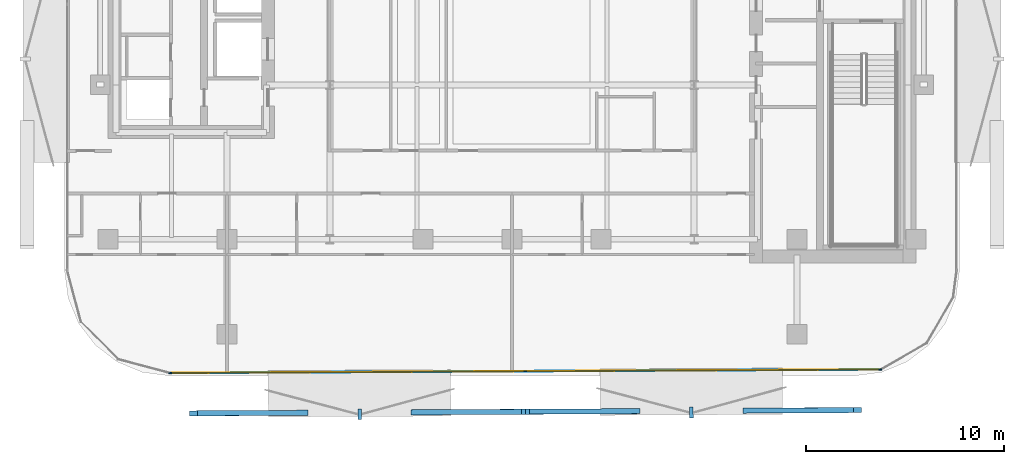
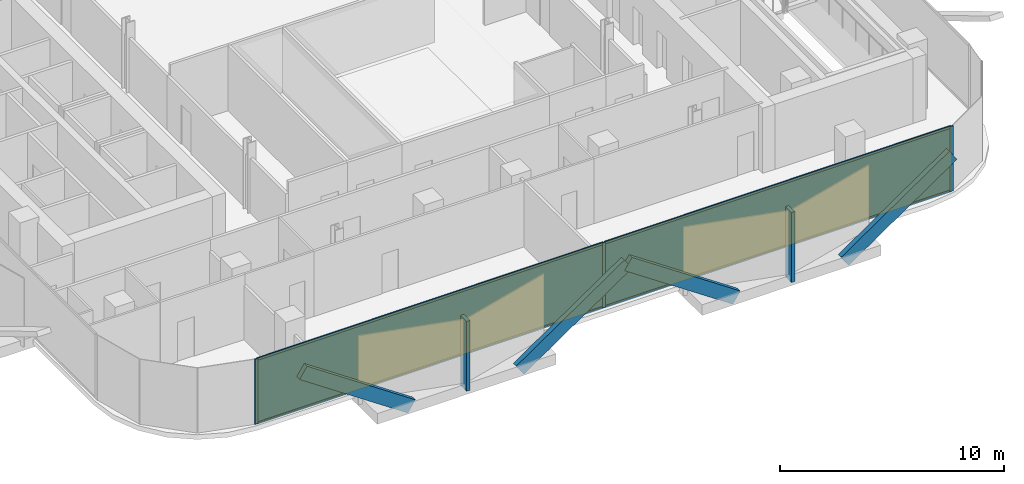
# One storey, part 9 of 17: 13 members, 2 plates, 1 curtain wall.
"""IFC4 building model written with IfcOpenShell, lengths in metres."""

import ifcopenshell
import ifcopenshell.guid

model = None  # the IFC model being written
_history = None  # IfcOwnerHistory: only IFC2X3 demands one
_inside = {}  # id of a spatial element -> (the spatial element, [elements in it])
_under = {}  # id of a project, library or spatial element -> (it, [spatial elements below it])
_declared = {}  # id of a project -> (the project, [libraries it declares])
_typed = {}  # id of a type object -> (the type object, [elements of that type])
_made_of = {}  # id of a material, layer set ... -> (it, [elements and type objects made of it])


def new_model(schema):
    """Start an empty IFC model of exactly this schema.

    Asked for "IFC4X3", IfcOpenShell would pick the latest addendum, in which some entities
    have other attributes; the version numbers below select the first issue.
    IFC2X3 requires an IfcOwnerHistory on every rooted entity: one is made here for all.
    """
    global model, _history
    if schema == "IFC4X3":
        model = ifcopenshell.file(schema_version=(4, 3, 0, 0))
    else:
        model = ifcopenshell.file(schema=schema)
    _inside.clear()
    _under.clear()
    _declared.clear()
    _typed.clear()
    _made_of.clear()
    _history = None
    if model.schema == "IFC2X3":
        org = make("IfcOrganization", Name="unknown")
        user = make(
            "IfcPersonAndOrganization",
            ThePerson=make("IfcPerson", FamilyName="unknown"),
            TheOrganization=org,
        )
        app = make(
            "IfcApplication",
            ApplicationDeveloper=org,
            Version="unknown",
            ApplicationFullName="unknown",
            ApplicationIdentifier="unknown",
        )
        _history = make(
            "IfcOwnerHistory",
            OwningUser=user,
            OwningApplication=app,
            ChangeAction="ADDED",
            CreationDate=0,
        )
    return model


def make(cls, **values):
    """One entity of the class cls with the attributes given. An attribute that is None is left unset."""
    return model.create_entity(
        cls, **{name: value for name, value in values.items() if value is not None}
    )


def rooted(cls, **values):
    """An entity with a GlobalId (a new one), such as an element, a storey or a relation."""
    return make(cls, GlobalId=ifcopenshell.guid.new(), OwnerHistory=_history, **values)


def si_unit(unit_type, name, prefix=None):
    """IfcSIUnit, for example si_unit("LENGTHUNIT", "METRE", prefix="MILLI")."""
    return make("IfcSIUnit", UnitType=unit_type, Prefix=prefix, Name=name)


def assignment(units):
    """IfcUnitAssignment: the units of a project."""
    return None if units is None else make("IfcUnitAssignment", Units=units)


def point(xyz):
    """IfcCartesianPoint."""
    return None if xyz is None else make("IfcCartesianPoint", Coordinates=xyz)


def direction(xyz):
    """IfcDirection."""
    return None if xyz is None else make("IfcDirection", DirectionRatios=xyz)


def frame(location, z_axis=None, x_axis=None):
    """IfcAxis2Placement3D, a coordinate frame: its origin and axes. An axis left out is left unset."""
    return make(
        "IfcAxis2Placement3D",
        Location=point(location),
        Axis=direction(z_axis),
        RefDirection=direction(x_axis),
    )


def frame_2d(location, x_axis=None):
    """IfcAxis2Placement2D, a coordinate frame in the plane: its origin and x axis."""
    return make(
        "IfcAxis2Placement2D", Location=point(location), RefDirection=direction(x_axis)
    )


def origin():
    """The frame at (0, 0, 0) with its axes left unset."""
    return frame((0.0, 0.0, 0.0))


def origin_2d():
    """The frame at (0, 0) in the plane with its x axis left unset."""
    return frame_2d((0.0, 0.0))


def place(relative_to, where):
    """IfcLocalPlacement: puts the frame where relative to a parent placement (None: the world)."""
    return make(
        "IfcLocalPlacement", PlacementRelTo=relative_to, RelativePlacement=where
    )


def context(
    kind, dimensions, precision=None, world=None, true_north=None, identifier=None
):
    """IfcGeometricRepresentationContext, for example the 3D "Model" context."""
    return make(
        "IfcGeometricRepresentationContext",
        ContextIdentifier=identifier,
        ContextType=kind,
        CoordinateSpaceDimension=dimensions,
        Precision=precision,
        WorldCoordinateSystem=world,
        TrueNorth=true_north,
    )


def subcontext(parent, identifier, kind, view, scale=None):
    """IfcGeometricRepresentationSubContext, for example "Body" below "Model"."""
    return make(
        "IfcGeometricRepresentationSubContext",
        ContextIdentifier=identifier,
        ContextType=kind,
        ParentContext=parent,
        TargetScale=scale,
        TargetView=view,
    )


def project(units=None, contexts=None):
    """IfcProject with its units and contexts."""
    return rooted(
        "IfcProject",
        Name="project",
        RepresentationContexts=contexts,
        UnitsInContext=assignment(units),
    )


def spatial(cls, under=None, at=None, **own):
    """A site, building, storey or space (cls), placed at a placement, below another one or the project."""
    s = rooted(cls, ObjectPlacement=at, **own)
    if under is not None:
        _under.setdefault(under.id(), (under, []))[1].append(s)
    return s


def profile(cls, at=None, kind="AREA", **sizes):
    """A parametric profile (cls). Its sizes go by their IFC names, for example OverallWidth=200.0."""
    return make(cls, ProfileType=kind, Position=at, **sizes)


def rectangle(**sizes):
    """IfcRectangleProfileDef."""
    return profile("IfcRectangleProfileDef", **sizes)


def extrude(swept, where, along, depth):
    """IfcExtrudedAreaSolid: the profile swept, set in the frame where, extruded along a direction by depth."""
    return make(
        "IfcExtrudedAreaSolid",
        SweptArea=swept,
        Position=where,
        ExtrudedDirection=direction(along),
        Depth=depth,
    )


def shape(context_of_items, identifier, shape_type, items):
    """IfcShapeRepresentation: the items that make up one representation, for example the "Body"."""
    return make(
        "IfcShapeRepresentation",
        ContextOfItems=context_of_items,
        RepresentationIdentifier=identifier,
        RepresentationType=shape_type,
        Items=items,
    )


def material(Name=None, Category=None):
    """IfcMaterial."""
    return make("IfcMaterial", Name=Name, Category=Category)


def layer(
    of_material, thickness, ventilated=None, Name=None, Category=None, Priority=None
):
    """IfcMaterialLayer: one layer of a wall or slab, of a material (None: an air gap)."""
    return make(
        "IfcMaterialLayer",
        Material=of_material,
        LayerThickness=thickness,
        IsVentilated=ventilated,
        Name=Name,
        Category=Category,
        Priority=Priority,
    )


def layer_set(layers, Name=None):
    """IfcMaterialLayerSet."""
    return make("IfcMaterialLayerSet", MaterialLayers=layers, LayerSetName=Name)


def material_profile(
    of_material, cross_section, Name=None, Category=None, Priority=None
):
    """IfcMaterialProfile: a cross section and its material."""
    return make(
        "IfcMaterialProfile",
        Name=Name,
        Material=of_material,
        Profile=cross_section,
        Priority=Priority,
        Category=Category,
    )


def profile_set(profiles, Name=None, composite=None):
    """IfcMaterialProfileSet."""
    return make(
        "IfcMaterialProfileSet",
        Name=Name,
        MaterialProfiles=profiles,
        CompositeProfile=composite,
    )


def made_of(thing, what):
    """Note that an element or type object is made of a material, layer set ...; save() writes the relation."""
    if what is not None:
        _made_of.setdefault(what.id(), (what, []))[1].append(thing)
    return thing


def type_object(cls, material=None, **own):
    """A type object (cls), such as IfcWallType, which elements share."""
    return made_of(rooted(cls, **own), material)


def element(
    cls,
    number,
    at=None,
    inside=None,
    cuts=None,
    type_object=None,
    material=None,
    context=None,
    identifier="Body",
    shape_type=None,
    held_by="IfcProductDefinitionShape",
    body=None,
    shapes=None,
    **own,
):
    """One element of the class cls, such as IfcWall. Its Tag is "e" and its number.

    at: its placement. inside: the storey or other place that contains it. cuts: it is an
    opening in that element (IfcRelVoidsElement). A single representation is given by context,
    identifier, shape_type and body (its items); several are given by shapes. held_by: the class
    of the entity that holds the representations. save() writes the other relations.
    """
    e = rooted(cls, Tag="e%d" % number, ObjectPlacement=at, **own)
    if body is not None:
        shapes = [shape(context, identifier, shape_type, body)]
    if shapes is not None:
        e.Representation = make(held_by, Representations=shapes)
    if inside is not None:
        _inside.setdefault(inside.id(), (inside, []))[1].append(e)
    if cuts is not None:
        rooted(
            "IfcRelVoidsElement", RelatingBuildingElement=cuts, RelatedOpeningElement=e
        )
    if type_object is not None:
        _typed.setdefault(type_object.id(), (type_object, []))[1].append(e)
    return made_of(e, material)


def aggregate(whole, parts):
    """IfcRelAggregates: a whole, such as a stair, and the parts it consists of."""
    return rooted("IfcRelAggregates", RelatingObject=whole, RelatedObjects=parts)


def save(model, path):
    """Write the relations noted so far, then the file.

    IfcRelAggregates (storeys below a building ...), IfcRelContainedInSpatialStructure (elements
    in a storey), IfcRelDefinesByType, IfcRelAssociatesMaterial and IfcRelDeclares: one each for
    every whole, place, type object, material and project.
    """
    for whole, parts in _under.values():
        aggregate(whole, parts)
    for where, things in _inside.values():
        rooted(
            "IfcRelContainedInSpatialStructure",
            RelatedElements=things,
            RelatingStructure=where,
        )
    for kind, things in _typed.values():
        rooted("IfcRelDefinesByType", RelatedObjects=things, RelatingType=kind)
    for what, things in _made_of.values():
        rooted("IfcRelAssociatesMaterial", RelatedObjects=things, RelatingMaterial=what)
    for by, libraries in _declared.values():
        rooted("IfcRelDeclares", RelatingContext=by, RelatedDefinitions=libraries)
    model.write(path)


model = new_model("IFC4")

# Units and contexts
model_context = context("Model", 3, precision=1e-05, world=origin(), true_north=direction((0.0, 1.0)))
body_context = subcontext(model_context, "Body", "Model", "MODEL_VIEW")
ifc_project = project(units=[si_unit("LENGTHUNIT", "METRE"), si_unit("AREAUNIT", "SQUARE_METRE"), si_unit("VOLUMEUNIT", "CUBIC_METRE"), si_unit("PLANEANGLEUNIT", "RADIAN"), si_unit("MASSUNIT", "GRAM", prefix="KILO")], contexts=[model_context])

# Member
ifc_material_1 = material(Name="Anodised Bronze Aluminium 6063-T6", Category="aluminium")
ifc_material_profile_1 = material_profile(ifc_material_1, rectangle(XDim=0.260009765625, YDim=0.699951171875, at=origin_2d()))
ifc_profile_set_1 = profile_set([ifc_material_profile_1], Name="Anodised Bronze Aluminium 6063-T6")
member_type_1 = type_object("IfcMemberType", Name="Bronze Diamond Solar-Screen Lattice Rib BDL-700", PredefinedType="MULLION", material=ifc_profile_set_1)
site_placement = place(None, origin())
building_placement = place(site_placement, origin())
storey_placement = place(building_placement, frame((0.0, 0.0, 168.800048828125)))
member_1_placement = place(storey_placement, frame((6.27001953125, -27.283935546875, -0.130126953125), z_axis=(-0.826888697943, -0.004082598107, 0.562350792305), x_axis=(-0.00768530149, 0.999962302626, -0.00404097366)))
member_1 = element("IfcMember", 1, at=member_1_placement, type_object=member_type_1, Name="L38 Bronze Diamond Solar Screen Lattice Rib 241A", PredefinedType="MULLION", context=body_context, shape_type="SweptSolid", body=[
    extrude(rectangle(XDim=0.260009765625, YDim=0.699951171875, at=origin_2d()), origin(), (0.0, 0.0, 1.0), 6.75732421875),
])

member_2_placement = place(storey_placement, frame((11.857666015625, -27.25634765625, -0.130126953125), z_axis=(0.826888819371, 0.004046469514, 0.562350874885), x_axis=(0.007641611663, -0.999962637455, -0.004040973385)))
member_2 = element("IfcMember", 2, at=member_2_placement, type_object=member_type_1, Name="L38 Bronze Diamond Solar Screen Lattice Rib 241B", PredefinedType="MULLION", context=body_context, shape_type="SweptSolid", body=[
    extrude(rectangle(XDim=0.260009765625, YDim=0.699951171875, at=origin_2d()), origin(), (0.0, 0.0, 1.0), 6.75732421875),
])

member_3_placement = place(storey_placement, frame((-10.4931640625, -27.366455078125, -0.130126953125), z_axis=(-0.826888697943, -0.004082598107, 0.562350792305), x_axis=(-0.00768530149, 0.999962302626, -0.00404097366)))
member_3 = element("IfcMember", 3, at=member_3_placement, type_object=member_type_1, Name="L38 Bronze Diamond Solar Screen Lattice Rib 242A", PredefinedType="MULLION", context=body_context, shape_type="SweptSolid", body=[
    extrude(rectangle(XDim=0.260009765625, YDim=0.699951171875, at=origin_2d()), origin(), (0.0, 0.0, 1.0), 6.75732421875),
])

member_4_placement = place(storey_placement, frame((-4.905517578125, -27.339111328125, -0.130126953125), z_axis=(0.82690012347, 0.004082476143, 0.562333992564), x_axis=(0.00768500369, -0.999962304689, -0.004041029491)))
member_4 = element("IfcMember", 4, at=member_4_placement, type_object=member_type_1, Name="L38 Bronze Diamond Solar Screen Lattice Rib 242B", PredefinedType="MULLION", context=body_context, shape_type="SweptSolid", body=[
    extrude(rectangle(XDim=0.260009765625, YDim=0.699951171875, at=origin_2d()), origin(), (0.0, 0.0, 1.0), 6.757568359375),
])

ifc_material_2 = material(Name="Anodised Bronze Aluminium 6063-T6", Category="aluminium")
ifc_material_profile_2 = material_profile(ifc_material_2, rectangle(XDim=0.179931640625, YDim=0.5400390625, at=origin_2d()))
ifc_profile_set_2 = profile_set([ifc_material_profile_2], Name="Anodised Bronze Aluminium 6063-T6")
member_type_2 = type_object("IfcMemberType", Name="Bronze Solar-Screen Vertical Fold Fin BSF-540", PredefinedType="MULLION", material=ifc_profile_set_2)
member_5_placement = place(storey_placement, frame((9.064208984375, -27.35009765625, -0.130126953125), z_axis=(0.0, 0.0, 1.0), x_axis=(-0.999988059021, -0.004886902454, 0.0)))
member_5 = element("IfcMember", 5, at=member_5_placement, type_object=member_type_2, Name="L38 Bronze Solar Screen Vertical Fin 241", PredefinedType="MULLION", context=body_context, shape_type="SweptSolid", body=[
    extrude(rectangle(XDim=0.179931640625, YDim=0.5400390625, at=origin_2d()), origin(), (0.0, 0.0, 1.0), 3.800048828125),
])

member_6_placement = place(storey_placement, frame((-7.698974609375, -27.432861328125, -0.130126953125), z_axis=(0.0, 0.0, 1.0), x_axis=(-0.999988059021, -0.004886902454, 0.0)))
member_6 = element("IfcMember", 6, at=member_6_placement, type_object=member_type_2, Name="L38 Bronze Solar Screen Vertical Fin 242", PredefinedType="MULLION", context=body_context, shape_type="SweptSolid", body=[
    extrude(rectangle(XDim=0.179931640625, YDim=0.5400390625, at=origin_2d()), origin(), (0.0, 0.0, 1.0), 3.800048828125),
])

ifc_material_3 = material(Name="Anodised Bronze Aluminium 6063-T6", Category="aluminium")
ifc_material_profile_3 = material_profile(ifc_material_3, rectangle(XDim=0.06005859375, YDim=0.1650390625, at=origin_2d()))
ifc_profile_set_3 = profile_set([ifc_material_profile_3], Name="Anodised Bronze Aluminium 6063-T6")
member_type_3 = type_object("IfcMemberType", Name="CW-Z3 Mullion 60x165", PredefinedType="MULLION", material=ifc_profile_set_3)
member_7_placement = place(storey_placement, frame((18.605224609375, -25.18310546875, 0.0), z_axis=(0.0, 0.0, 1.0), x_axis=(0.004926734175, -0.999987863572, 0.0)))
member_7 = element("IfcMember", 7, at=member_7_placement, type_object=member_type_3, Name="CW-Z3 mullion 1", PredefinedType="MULLION", context=body_context, shape_type="SweptSolid", body=[
    extrude(rectangle(XDim=0.06005859375, YDim=0.1650390625, at=origin_2d()), origin(), (0.0, 0.0, 1.0), 3.5400390625),
])

member_8_placement = place(storey_placement, frame((0.672119140625, -25.271484375, 0.0), z_axis=(0.0, 0.0, 1.0), x_axis=(0.004926734175, -0.999987863572, 0.0)))
member_8 = element("IfcMember", 8, at=member_8_placement, type_object=member_type_3, Name="CW-Z3 mullion 2", PredefinedType="MULLION", context=body_context, shape_type="SweptSolid", body=[
    extrude(rectangle(XDim=0.06005859375, YDim=0.1650390625, at=origin_2d()), origin(), (0.0, 0.0, 1.0), 3.5400390625),
])

member_9_placement = place(storey_placement, frame((-17.2607421875, -25.35986328125, 0.0), z_axis=(0.0, 0.0, 1.0), x_axis=(0.004926734175, -0.999987863572, 0.0)))
member_9 = element("IfcMember", 9, at=member_9_placement, type_object=member_type_3, Name="CW-Z3 mullion 3", PredefinedType="MULLION", context=body_context, shape_type="SweptSolid", body=[
    extrude(rectangle(XDim=0.06005859375, YDim=0.1650390625, at=origin_2d()), origin(), (0.0, 0.0, 1.0), 3.5400390625),
])

ifc_material_4 = material(Name="Anodised Bronze Aluminium 6063-T6", Category="aluminium")
ifc_material_profile_4 = material_profile(ifc_material_4, rectangle(XDim=0.06005859375, YDim=0.1298828125, at=origin_2d()))
ifc_profile_set_4 = profile_set([ifc_material_profile_4], Name="Anodised Bronze Aluminium 6063-T6")
member_type_4 = type_object("IfcMemberType", Name="CW-Z3 Transom 60x130", PredefinedType="USERDEFINED", material=ifc_profile_set_4)
member_10_placement = place(storey_placement, frame((18.5751953125, -25.183349609375, 0.030029296875), z_axis=(-0.999987909339, -0.0049174359, 0.0), x_axis=(0.0049174359, -0.999987909339, 0.0)))
member_10 = element("IfcMember", 10, at=member_10_placement, type_object=member_type_4, Name="CW-Z3 transom 1.1", ObjectType="TRANSOM", PredefinedType="USERDEFINED", context=body_context, shape_type="SweptSolid", body=[
    extrude(rectangle(XDim=0.06005859375, YDim=0.1298828125, at=origin_2d()), origin(), (0.0, 0.0, 1.0), 17.873291015625),
])

member_11_placement = place(storey_placement, frame((18.5751953125, -25.183349609375, 3.510009765625), z_axis=(-0.999987909339, -0.0049174359, 0.0), x_axis=(0.0049174359, -0.999987909339, 0.0)))
member_11 = element("IfcMember", 11, at=member_11_placement, type_object=member_type_4, Name="CW-Z3 transom 1.2", ObjectType="TRANSOM", PredefinedType="USERDEFINED", context=body_context, shape_type="SweptSolid", body=[
    extrude(rectangle(XDim=0.06005859375, YDim=0.1298828125, at=origin_2d()), origin(), (0.0, 0.0, 1.0), 17.873291015625),
])

member_12_placement = place(storey_placement, frame((0.64208984375, -25.271728515625, 0.030029296875), z_axis=(-0.999987909009, -0.00491750307, 0.0), x_axis=(0.00491750307, -0.999987909009, 0.0)))
member_12 = element("IfcMember", 12, at=member_12_placement, type_object=member_type_4, Name="CW-Z3 transom 2.1", ObjectType="TRANSOM", PredefinedType="USERDEFINED", context=body_context, shape_type="SweptSolid", body=[
    extrude(rectangle(XDim=0.06005859375, YDim=0.1298828125, at=origin_2d()), origin(), (0.0, 0.0, 1.0), 17.873046875),
])

member_13_placement = place(storey_placement, frame((0.64208984375, -25.271728515625, 3.510009765625), z_axis=(-0.999987909009, -0.00491750307, 0.0), x_axis=(0.00491750307, -0.999987909009, 0.0)))
member_13 = element("IfcMember", 13, at=member_13_placement, type_object=member_type_4, Name="CW-Z3 transom 2.2", ObjectType="TRANSOM", PredefinedType="USERDEFINED", context=body_context, shape_type="SweptSolid", body=[
    extrude(rectangle(XDim=0.06005859375, YDim=0.1298828125, at=origin_2d()), origin(), (0.0, 0.0, 1.0), 17.873046875),
])

# Plate
ifc_material_5 = material(Name="Low-E Solar Control Laminated Glass", Category="glass")
ifc_layer_1 = layer(ifc_material_5, 0.030029296875, Name="Low-E Solar Control Laminated Glass")
ifc_layer_set_1 = layer_set([ifc_layer_1], Name="Low-E Solar Control Laminated Glass")
plate_type = type_object("IfcPlateType", Name="CW-Z3 Low-E Double Glazed Panel 30mm", PredefinedType="CURTAIN_PANEL", material=ifc_layer_set_1)
plate_1_placement = place(storey_placement, frame((9.638671875, -25.227294921875, 0.06005859375), z_axis=(0.0, 0.0, 1.0), x_axis=(-0.999987863572, -0.004926734175, 0.0)))
plate_1 = element("IfcPlate", 14, at=plate_1_placement, type_object=plate_type, Name="CW-Z3 panel 1.1", PredefinedType="CURTAIN_PANEL", context=body_context, shape_type="SweptSolid", body=[
    extrude(rectangle(XDim=17.873291015625, YDim=0.030029296875, at=origin_2d()), origin(), (0.0, 0.0, 1.0), 3.419921875),
])

plate_2_placement = place(storey_placement, frame((-8.294189453125, -25.315673828125, 0.06005859375), z_axis=(0.0, 0.0, 1.0), x_axis=(-0.999987863572, -0.004926734175, 0.0)))
plate_2 = element("IfcPlate", 15, at=plate_2_placement, type_object=plate_type, Name="CW-Z3 panel 2.1", PredefinedType="CURTAIN_PANEL", context=body_context, shape_type="SweptSolid", body=[
    extrude(rectangle(XDim=17.873291015625, YDim=0.030029296875, at=origin_2d()), origin(), (0.0, 0.0, 1.0), 3.419921875),
])

# Site, building, storey
site = spatial("IfcSite", under=ifc_project, at=site_placement, CompositionType="ELEMENT")
building = spatial("IfcBuilding", under=site, at=building_placement, Name="Khairoan Windgate Tower", CompositionType="ELEMENT")
storey = spatial("IfcBuildingStorey", under=building, at=storey_placement, Name="L38", CompositionType="ELEMENT", Elevation=168.800048828125)

# Curtain wall
ifc_material_6 = material(Name="Anodised Bronze Aluminium 6063-T6", Category="aluminium")
ifc_layer_2 = layer(ifc_material_6, 0.1650390625, Name="Anodised Bronze Aluminium 6063-T6")
ifc_layer_set_2 = layer_set([ifc_layer_2], Name="Anodised Bronze Aluminium 6063-T6")
curtain_wall_type = type_object("IfcCurtainWallType", Name="Luxury Hotel Acoustic Curtain Wall CW-Z3", PredefinedType="NOTDEFINED", material=ifc_layer_set_2)
curtain_wall_placement = place(storey_placement, frame((18.63525390625, -25.18310546875, 0.0), z_axis=(0.0, 0.0, 1.0), x_axis=(-0.999987863321, -0.004926785053, 0.0)))
curtain_wall = element("IfcCurtainWall", 16, at=curtain_wall_placement, inside=storey, type_object=curtain_wall_type, Name="L38 Unitised Curtain Wall 1", PredefinedType="NOTDEFINED", context=body_context, shape_type="SweptSolid", body=[
    extrude(rectangle(XDim=35.926513671875, YDim=0.010009765625, at=frame_2d((17.96337890625, 0.0))), origin(), (0.0, 0.0, 1.0), 3.5400390625),
])

aggregate(curtain_wall, [member_7, member_8, member_9, member_10, member_11, plate_1, member_12, member_13, plate_2, member_1, member_2, member_5, member_3, member_4, member_6])

save(model, "model.ifc")
